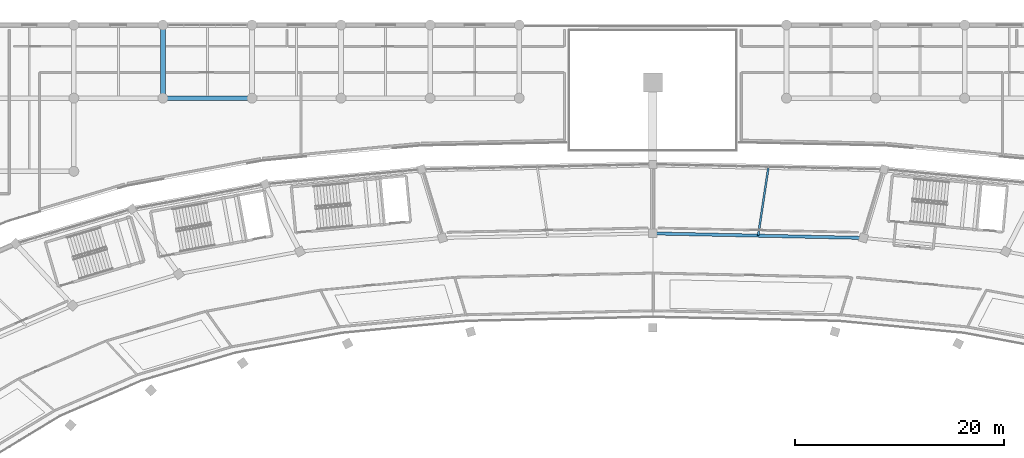
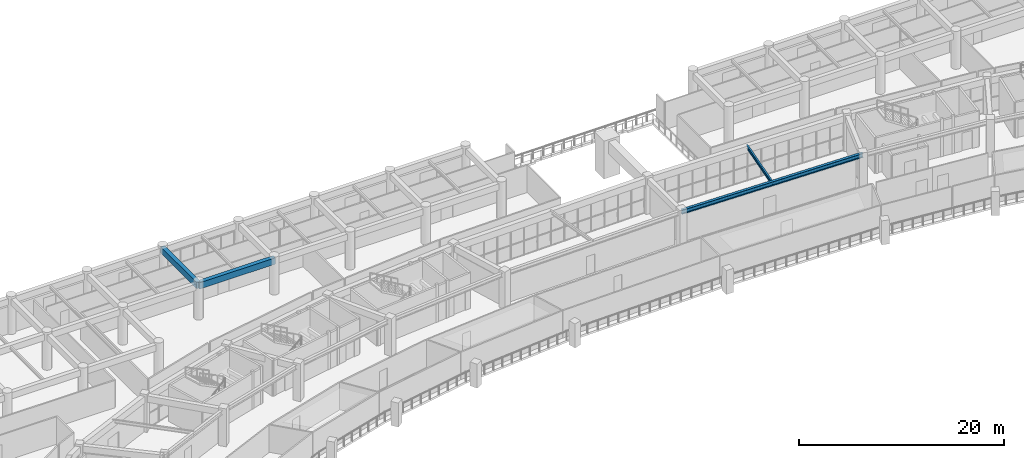
# One storey, part 57 of 141: 4 beams.
"""IFC4 building model written with IfcOpenShell, lengths in metres."""

from ifc_helpers import new_model, si_unit, direction, frame, origin, origin_2d, place, context, subcontext, project, spatial, rectangle, i_section, extrude, material, material_profile, profile_set, type_object, element, save


model = new_model("IFC4")

# Units and contexts
model_context = context("Model", 3, precision=1e-05, world=origin(), true_north=direction((0.0, 1.0)))
body_context = subcontext(model_context, "Body", "Model", "MODEL_VIEW")
ifc_project = project(units=[si_unit("LENGTHUNIT", "METRE"), si_unit("AREAUNIT", "SQUARE_METRE"), si_unit("VOLUMEUNIT", "CUBIC_METRE"), si_unit("PLANEANGLEUNIT", "RADIAN"), si_unit("MASSUNIT", "GRAM", prefix="KILO")], contexts=[model_context])

# Site, building, storey
site_placement = place(None, origin())
site = spatial("IfcSite", under=ifc_project, at=site_placement, CompositionType="ELEMENT")
building_placement = place(site_placement, origin())
building = spatial("IfcBuilding", under=site, at=building_placement, Name="Mphavela Belvedere Stadium", CompositionType="ELEMENT")
storey_placement = place(building_placement, frame((0.0, 0.0, 14.699951171875)))
storey = spatial("IfcBuildingStorey", under=building, at=storey_placement, Name="L03", CompositionType="ELEMENT", Elevation=14.699951171875)

# Beams
ifc_material_1 = material(Name="Steel S355", Category="steel")
ifc_material_profile_1 = material_profile(ifc_material_1, i_section(OverallWidth=0.179931640625, OverallDepth=0.39990234375, WebThickness=0.008544921875, FlangeThickness=0.013427734375, at=origin_2d()), Name="IPE 400")
ifc_profile_set_1 = profile_set([ifc_material_profile_1], Name="Steel S355")
beam_type_1 = type_object("IfcBeamType", Name="BM-JOIST-IPE400", PredefinedType="JOIST", material=ifc_profile_set_1)
beam_1_placement = place(storey_placement, frame((125.06640625, 153.850830078125, 4.050048828125), z_axis=(0.148900105887, 0.98885224299, 0.0), x_axis=(-0.98885224299, 0.148900105887, 0.0)))
element("IfcBeam", 1, at=beam_1_placement, inside=storey, type_object=beam_type_1, Name="Concourse floor joist L03-12", PredefinedType="JOIST", context=body_context, shape_type="SweptSolid", body=[
    extrude(i_section(OverallWidth=0.179931640625, OverallDepth=0.39990234375, WebThickness=0.008544921875, FlangeThickness=0.013427734375, at=origin_2d()), origin(), (0.0, 0.0, 1.0), 6.6552734375),
])
ifc_material_2 = material(Name="Concrete C40/50", Category="concrete")
ifc_material_profile_2 = material_profile(ifc_material_2, rectangle(XDim=0.449951171875, YDim=0.75, at=origin_2d()), Name="RC 450x750")
ifc_profile_set_2 = profile_set([ifc_material_profile_2], Name="Concrete C40/50")
beam_type_2 = type_object("IfcBeamType", Name="BM-RC450x750", PredefinedType="BEAM", material=ifc_profile_set_2)
beam_2_placement = place(storey_placement, frame((68.14794921875, 167.0, 3.864990234375), z_axis=(1.0, 0.0, 0.0), x_axis=(0.0, 1.0, 0.0)))
element("IfcBeam", 2, at=beam_2_placement, inside=storey, type_object=beam_type_2, Name="North Mast and Ceremonial End Forecourt entablature beam X L03 9-7", PredefinedType="BEAM", context=body_context, shape_type="SweptSolid", body=[
    extrude(rectangle(XDim=0.449951171875, YDim=0.75, at=origin_2d()), origin(), (0.0, 0.0, 1.0), 8.51904296875),
])
beam_3_placement = place(storey_placement, frame((68.14794921875, 167.0, 3.864990234375), z_axis=(0.0, 1.0, 0.0), x_axis=(-1.0, 0.0, 0.0)))
element("IfcBeam", 3, at=beam_3_placement, inside=storey, type_object=beam_type_2, Name="North Mast and Ceremonial End Forecourt entablature beam Y L03 9-7", PredefinedType="BEAM", context=body_context, shape_type="SweptSolid", body=[
    extrude(rectangle(XDim=0.449951171875, YDim=0.75, at=origin_2d()), origin(), (0.0, 0.0, 1.0), 7.0),
])
ifc_material_3 = material(Name="Steel S355", Category="steel")
ifc_material_profile_3 = material_profile(ifc_material_3, i_section(OverallWidth=0.300048828125, OverallDepth=0.489990234375, WebThickness=0.011962890625, FlangeThickness=0.02294921875, at=origin_2d()), Name="HEA 500")
ifc_profile_set_3 = profile_set([ifc_material_profile_3], Name="Steel S355")
beam_type_3 = type_object("IfcBeamType", Name="BM-STEEL-HEA500", PredefinedType="BEAM", material=ifc_profile_set_3)
beam_4_placement = place(storey_placement, frame((135.1328125, 153.634033203125, 4.005126953125), z_axis=(-0.999768427465, 0.02151955955, 0.0), x_axis=(-0.02151955955, -0.999768427465, 0.0)))
element("IfcBeam", 4, at=beam_4_placement, inside=storey, type_object=beam_type_3, Name="Circumferential girder L03 R3-12", PredefinedType="BEAM", context=body_context, shape_type="SweptSolid", body=[
    extrude(i_section(OverallWidth=0.300048828125, OverallDepth=0.489990234375, WebThickness=0.011962890625, FlangeThickness=0.02294921875, at=origin_2d()), origin(), (0.0, 0.0, 1.0), 20.137451171875),
])

save(model, "model.ifc")
